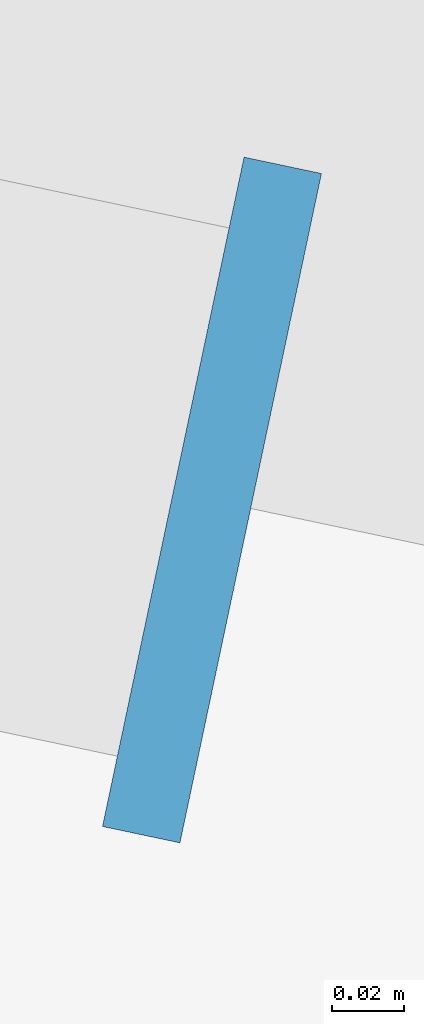
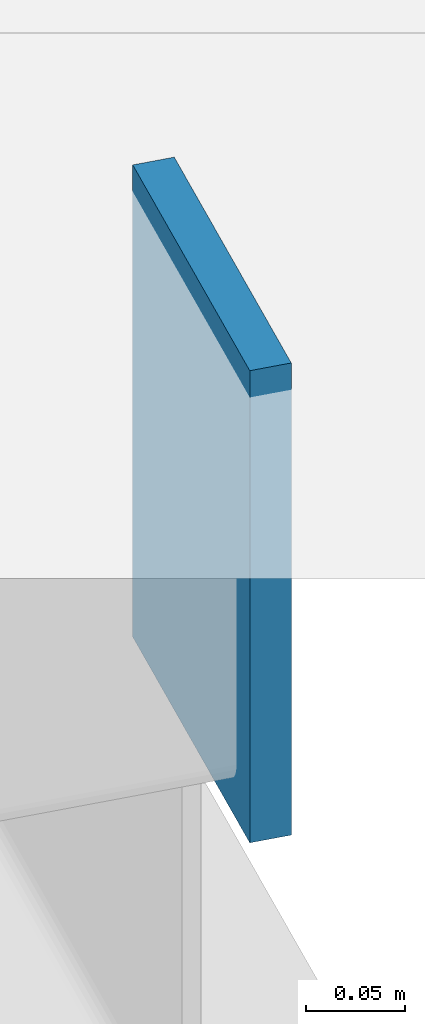
# One storey, part 40 of 90: 1 plate.
"""IFC4 building model written with IfcOpenShell, lengths in metres."""

from ifc_helpers import new_model, si_unit, direction, frame, origin, origin_2d, place, context, subcontext, project, spatial, rectangle, extrude, material, layer, layer_set, type_object, element, save


model = new_model("IFC4")

# Units and contexts
model_context = context("Model", 3, precision=1e-05, world=origin(), true_north=direction((0.0, 1.0)))
body_context = subcontext(model_context, "Body", "Model", "MODEL_VIEW")
ifc_project = project(units=[si_unit("LENGTHUNIT", "METRE"), si_unit("AREAUNIT", "SQUARE_METRE"), si_unit("VOLUMEUNIT", "CUBIC_METRE"), si_unit("PLANEANGLEUNIT", "RADIAN"), si_unit("MASSUNIT", "GRAM", prefix="KILO")], contexts=[model_context])

# Site, building, storey
site_placement = place(None, origin())
site = spatial("IfcSite", under=ifc_project, at=site_placement, CompositionType="ELEMENT")
building_placement = place(site_placement, origin())
building = spatial("IfcBuilding", under=site, at=building_placement, Name="Wrenclough Park School", CompositionType="ELEMENT")
storey_placement = place(building_placement, frame((0.0, 0.0, 8.39990234375)))
storey = spatial("IfcBuildingStorey", under=building, at=storey_placement, Name="L02", CompositionType="ELEMENT", Elevation=8.39990234375)

# Plate
ifc_material = material(Name="Structural steel S355", Category="steel")
ifc_layer = layer(ifc_material, 0.2900390625)
ifc_layer_set = layer_set([ifc_layer], Name="Structural steel S355")
plate_type = type_object("IfcPlateType", Name="STR-PL-EP250", PredefinedType="SHEET", material=ifc_layer_set)
plate_placement = place(storey_placement, frame((126.63671875, 24.986572265625, -0.5), z_axis=(0.0, 0.0, 1.0), x_axis=(0.978364788978, -0.206887263232, 0.0)))
element("IfcPlate", 1, at=plate_placement, inside=storey, type_object=plate_type, Name="W12 eave fascia R4 end sealing end-cap plate", PredefinedType="SHEET", context=body_context, shape_type="SweptSolid", body=[
    extrude(rectangle(XDim=0.02197265625, YDim=0.18994140625, at=origin_2d()), origin(), (0.0, 0.0, 1.0), 0.2900390625),
])

save(model, "model.ifc")
